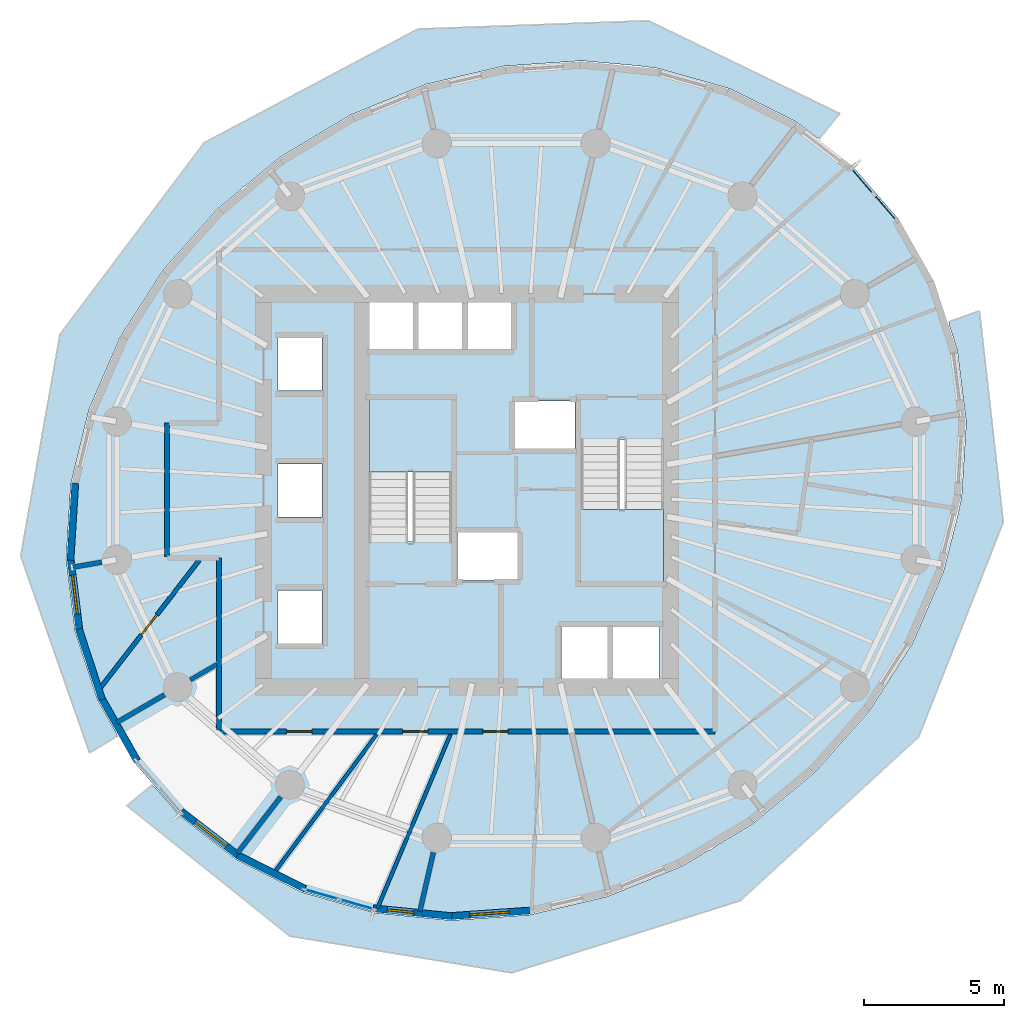
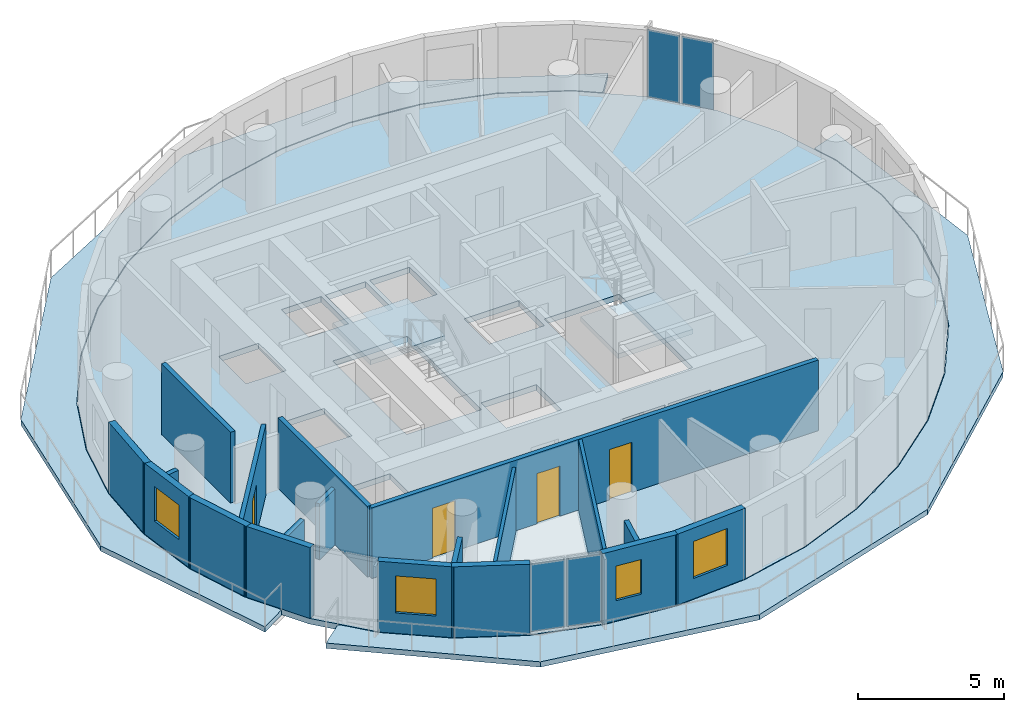
# One storey, part 4 of 12: 19 walls, 5 slabs, 4 doors, 4 plates, 4 windows, 8 openings, 4 elements without a shape of their own.
"""IFC4 building model written with IfcOpenShell, lengths in metres."""

from ifc_helpers import new_model, si_unit, direction, frame, frame_2d, origin, origin_2d, place, context, subcontext, project, spatial, polyline, rectangle, outline, extrude, material, layer, layer_set, type_object, element, fill, aggregate, save


model = new_model("IFC4")

# Units and contexts
model_context = context("Model", 3, precision=1e-05, world=origin(), true_north=direction((0.0, 1.0)))
body_context = subcontext(model_context, "Body", "Model", "MODEL_VIEW")
ifc_project = project(units=[si_unit("LENGTHUNIT", "METRE"), si_unit("AREAUNIT", "SQUARE_METRE"), si_unit("VOLUMEUNIT", "CUBIC_METRE"), si_unit("PLANEANGLEUNIT", "RADIAN"), si_unit("MASSUNIT", "GRAM", prefix="KILO")], contexts=[model_context])

# Site, building, storey
site_placement = place(None, origin())
site = spatial("IfcSite", under=ifc_project, at=site_placement, CompositionType="ELEMENT")
building_placement = place(site_placement, origin())
building = spatial("IfcBuilding", under=site, at=building_placement, Name="Veldorim Arch Residences", CompositionType="ELEMENT")
storey_placement = place(building_placement, frame((0.0, 0.0, 142.56005859375)))
storey = spatial("IfcBuildingStorey", under=building, at=storey_placement, Name="L42", CompositionType="ELEMENT", Elevation=142.56005859375)

# Slabs
ifc_material_1 = material(Name="Concrete C40/50", Category="concrete")
ifc_layer_1 = layer(ifc_material_1, 0.219970703125, Name="Planted Crescent Cantilever Balcony Slab 220")
ifc_layer_set_1 = layer_set([ifc_layer_1], Name="Concrete C40/50")
slab_type_1 = type_object("IfcSlabType", Name="Planted Crescent Cantilever Balcony Slab 220", PredefinedType="FLOOR", material=ifc_layer_set_1)
slab_1_placement = place(storey_placement, frame((0.0, 0.0, -0.219970703125)))
element("IfcSlab", 1, at=slab_1_placement, inside=storey, type_object=slab_type_1, Name="L42 planted crescent balcony slab A", PredefinedType="FLOOR", context=body_context, shape_type="SweptSolid", body=[
    extrude(outline(polyline([(42.681884765625, 36.580078125), (41.955810546875, 37.13916015625), (39.622314453125, 38.30322265625), (37.057373046875, 39.03271484375), (36.361328125, 39.122802734375), (34.339111328125, 39.30517578125), (31.5498046875, 39.11279296875), (28.7744140625, 38.461181640625), (26.09716796875, 37.37060546875), (23.59912109375, 35.873779296875), (22.39599609375, 34.877197265625), (22.2626953125, 34.80419921875), (22.181884765625, 34.699951171875), (21.356201171875, 34.016357421875), (19.436767578125, 31.8544921875), (17.898681640625, 29.454345703125), (16.788818359375, 26.88818359375), (16.14111328125, 24.234130859375), (15.975341796875, 21.572509765625), (16.29638671875, 18.98486328125), (17.094970703125, 16.54931640625), (17.749755859375, 15.393798828125), (17.789306640625, 15.2490234375), (16.80419921875, 14.655517578125), (14.352783203125, 21.66845703125), (15.75146484375, 29.5654296875), (20.880859375, 36.38525390625), (28.492431640625, 40.4365234375), (36.707763671875, 40.733642578125), (43.524169921875, 37.427490234375), (42.803955078125, 36.531005859375), (42.681884765625, 36.580078125)])), origin(), (0.0, 0.0, 1.0), 0.219970703125),
])
slab_2_placement = place(storey_placement, frame((0.0, 0.0, -0.219970703125)))
element("IfcSlab", 2, at=slab_2_placement, inside=storey, type_object=slab_type_1, Name="L42 planted crescent balcony slab B", PredefinedType="FLOOR", context=body_context, shape_type="SweptSolid", body=[
    extrude(outline(polyline([(19.1416015625, 13.426513671875), (20.01318359375, 12.424560546875), (22.044189453125, 10.86083984375), (24.377685546875, 9.69677734375), (26.942626953125, 8.96728515625), (29.660888671875, 8.69482421875), (32.4501953125, 8.88720703125), (35.2255859375, 9.538818359375), (37.90283203125, 10.62939453125), (38.82177734375, 11.18017578125), (38.947509765625, 11.221923828125), (39.06103515625, 11.323486328125), (40.40087890625, 12.126220703125), (42.643798828125, 13.983642578125), (44.563232421875, 16.1455078125), (46.101318359375, 18.545654296875), (47.211181640625, 21.11181640625), (47.712158203125, 23.07958984375), (47.85888671875, 23.765869140625), (48.024658203125, 26.427490234375), (47.70361328125, 29.01513671875), (47.418212890625, 29.8857421875), (47.412353515625, 30.017333984375), (48.49755859375, 30.398193359375), (49.346435546875, 22.8701171875), (46.33203125, 15.22216796875), (39.978515625, 9.392578125), (31.84033203125, 6.82568359375), (23.927978515625, 8.135009765625), (18.130615234375, 12.78076171875), (19.018310546875, 13.511962890625), (19.1416015625, 13.426513671875)])), origin(), (0.0, 0.0, 1.0), 0.219970703125),
])

# Stair, slab
ifc_material_2 = material(Name="Concrete C40/50", Category="concrete")
stair_type = type_object("IfcStairType", Name="Reinforced Concrete Dogleg Exit Staircase", PredefinedType="HALF_TURN_STAIR", material=ifc_material_2)
stair_1_placement = place(storey_placement, origin())
stair_1 = element("IfcStair", 3, at=stair_1_placement, inside=storey, type_object=stair_type, Name="L42 Exit Staircase ST-1", PredefinedType="HALF_TURN_STAIR")
ifc_material_3 = material(Name="Concrete C40/50", Category="concrete")
ifc_layer_2 = layer(ifc_material_3, 0.199951171875, Name="Reinforced Concrete Stair Landing 200")
ifc_layer_set_2 = layer_set([ifc_layer_2], Name="Concrete C40/50")
slab_type_2 = type_object("IfcSlabType", Name="Reinforced Concrete Stair Landing 200", PredefinedType="LANDING", material=ifc_layer_set_2)
slab_3_placement = place(storey_placement, frame((0.0, 0.0, 1.39990234375)))
slab_3 = element("IfcSlab", 4, at=slab_3_placement, type_object=slab_type_2, Name="ST-1 landing 1", PredefinedType="LANDING", context=body_context, shape_type="SweptSolid", body=[
    extrude(outline(polyline([(29.7099609375, 24.669921875), (29.7099609375, 27.25), (26.75, 27.25), (26.75, 24.669921875), (29.7099609375, 24.669921875)])), origin(), (0.0, 0.0, 1.0), 0.199951171875),
])
aggregate(stair_1, [slab_3])

stair_2_placement = place(storey_placement, origin())
stair_2 = element("IfcStair", 5, at=stair_2_placement, inside=storey, type_object=stair_type, Name="L42 Exit Staircase ST-2", PredefinedType="HALF_TURN_STAIR")
slab_4_placement = place(storey_placement, frame((0.0, 0.0, 1.39990234375)))
slab_4 = element("IfcSlab", 6, at=slab_4_placement, type_object=slab_type_2, Name="ST-2 landing 1", PredefinedType="LANDING", context=body_context, shape_type="SweptSolid", body=[
    extrude(outline(polyline([(34.2900390625, 23.330078125), (34.2900390625, 20.75), (37.25, 20.75), (37.25, 23.330078125), (34.2900390625, 23.330078125)])), origin(), (0.0, 0.0, 1.0), 0.199951171875),
])
aggregate(stair_2, [slab_4])

# Slab
ifc_material_4 = material(Name="Concrete C40/50", Category="concrete")
ifc_layer_3 = layer(ifc_material_4, 0.239990234375, Name="Typical Residential Floor Slab 240")
ifc_layer_set_3 = layer_set([ifc_layer_3], Name="Concrete C40/50")
slab_type_3 = type_object("IfcSlabType", Name="Typical Residential Floor Slab 240", PredefinedType="FLOOR", material=ifc_layer_set_3)
slab_5_placement = place(storey_placement, frame((0.0, 0.0, -0.239990234375)))
element("IfcSlab", 7, at=slab_5_placement, inside=storey, type_object=slab_type_3, Name="L42 tower structural floor slab", PredefinedType="FLOOR", context=body_context, shape_type="SweptSolid", body=[
    extrude(outline(polyline([(45.6328125, 33.6455078125), (43.969482421875, 35.55712890625), (41.9423828125, 37.117919921875), (39.61328125, 38.27978515625), (37.052734375, 39.008056640625), (34.338623046875, 39.280029296875), (31.5537109375, 39.087890625), (28.781982421875, 38.4375), (26.1083984375, 37.34814453125), (23.613525390625, 35.853271484375), (21.373779296875, 33.998291015625), (19.456787109375, 31.839599609375), (17.9208984375, 29.4423828125), (16.8125, 26.880126953125), (16.166015625, 24.230224609375), (16.00048828125, 21.573486328125), (16.321044921875, 18.990234375), (17.117919921875, 16.559326171875), (18.3671875, 14.3544921875), (20.030517578125, 12.44287109375), (22.0576171875, 10.882080078125), (24.38671875, 9.72021484375), (26.947265625, 8.991943359375), (29.661376953125, 8.719970703125), (32.4462890625, 8.912109375), (35.218017578125, 9.5625), (37.8916015625, 10.65185546875), (40.386474609375, 12.146728515625), (42.626220703125, 14.001708984375), (44.543212890625, 16.160400390625), (46.0791015625, 18.5576171875), (47.1875, 21.119873046875), (47.833984375, 23.769775390625), (47.99951171875, 26.426513671875), (47.678955078125, 29.009765625), (46.882080078125, 31.440673828125), (45.6328125, 33.6455078125)]), holes=[polyline([(23.510009765625, 18.56005859375), (23.510009765625, 20.43994140625), (25.090087890625, 20.43994140625), (25.090087890625, 18.56005859375), (23.510009765625, 18.56005859375)]), polyline([(23.510009765625, 24.93994140625), (25.090087890625, 24.93994140625), (25.090087890625, 23.06005859375), (23.510009765625, 23.06005859375), (23.510009765625, 24.93994140625)]), polyline([(26.75, 27.25), (29.7099609375, 27.25), (29.7099609375, 22.195068359375), (26.75, 22.195068359375), (26.75, 27.25)]), polyline([(23.510009765625, 27.56005859375), (23.510009765625, 29.43994140625), (25.090087890625, 29.43994140625), (25.090087890625, 27.56005859375), (23.510009765625, 27.56005859375)]), polyline([(26.760009765625, 30.7900390625), (28.340087890625, 30.7900390625), (28.340087890625, 28.909912109375), (26.760009765625, 28.909912109375), (26.760009765625, 30.7900390625)]), polyline([(28.510009765625, 30.7900390625), (30.090087890625, 30.7900390625), (30.090087890625, 28.909912109375), (28.510009765625, 28.909912109375), (28.510009765625, 30.7900390625)]), polyline([(33.610107421875, 17.2099609375), (33.610107421875, 19.2900390625), (35.2900390625, 19.2900390625), (35.2900390625, 17.2099609375), (33.610107421875, 17.2099609375)]), polyline([(35.409912109375, 19.2900390625), (37.090087890625, 19.2900390625), (37.090087890625, 17.2099609375), (35.409912109375, 17.2099609375), (35.409912109375, 19.2900390625)]), polyline([(29.909912109375, 22.544921875), (32.090087890625, 22.544921875), (32.090087890625, 20.81494140625), (29.909912109375, 20.81494140625), (29.909912109375, 22.544921875)]), polyline([(34.2900390625, 20.75), (34.2900390625, 25.804931640625), (37.25, 25.804931640625), (37.25, 20.75), (34.2900390625, 20.75)]), polyline([(31.909912109375, 27.18505859375), (34.090087890625, 27.18505859375), (34.090087890625, 25.455078125), (31.909912109375, 25.455078125), (31.909912109375, 27.18505859375)]), polyline([(30.260009765625, 30.7900390625), (31.840087890625, 30.7900390625), (31.840087890625, 28.909912109375), (30.260009765625, 28.909912109375), (30.260009765625, 30.7900390625)])]), origin(), (0.0, 0.0, 1.0), 0.239990234375),
])

# Curtain wall, plates
ifc_material_5 = material(Name="Aluminium", Category="aluminium")
curtain_wall_type = type_object("IfcCurtainWallType", Name="Zone 3 High-Wind Unitised Curtain Wall", PredefinedType="NOTDEFINED", material=ifc_material_5)
curtain_wall_1_placement = place(storey_placement, origin())
curtain_wall_1 = element("IfcCurtainWall", 8, at=curtain_wall_1_placement, inside=storey, type_object=curtain_wall_type, Name="L42 unitised curtain wall bay 01", PredefinedType="NOTDEFINED")
ifc_material_6 = material(Name="Laminated Low-E Glass", Category="glass")
ifc_layer_4 = layer(ifc_material_6, 0.028076171875, Name="Zone 3 High-Wind Unitised Curtain Wall Glazing Panel 28")
ifc_layer_set_4 = layer_set([ifc_layer_4], Name="Laminated Low-E Glass")
plate_type = type_object("IfcPlateType", Name="Zone 3 High-Wind Unitised Curtain Wall Glazing Panel 28", PredefinedType="CURTAIN_PANEL", material=ifc_layer_set_4)
plate_1_placement = place(storey_placement, frame((44.328857421875, 35.007080078125, 0.06982421875), z_axis=(0.0, 0.0, 1.0), x_axis=(0.65641511641, -0.754399890607, 0.0)))
plate_1 = element("IfcPlate", 9, at=plate_1_placement, type_object=plate_type, Name="CW-Z3 panel 1.1", PredefinedType="CURTAIN_PANEL", context=body_context, shape_type="SweptSolid", body=[
    extrude(rectangle(XDim=1.162109375, YDim=0.028076171875, at=origin_2d()), origin(), (0.0, 0.0, 1.0), 2.820068359375),
])
plate_2_placement = place(storey_placement, frame((45.1376953125, 34.07763671875, 0.06982421875), z_axis=(0.0, 0.0, 1.0), x_axis=(0.65641511641, -0.754399890607, 0.0)))
plate_2 = element("IfcPlate", 10, at=plate_2_placement, type_object=plate_type, Name="CW-Z3 panel 2.1", PredefinedType="CURTAIN_PANEL", context=body_context, shape_type="SweptSolid", body=[
    extrude(rectangle(XDim=1.162109375, YDim=0.028076171875, at=origin_2d()), origin(), (0.0, 0.0, 1.0), 2.820068359375),
])
aggregate(curtain_wall_1, [plate_1, plate_2])

curtain_wall_2_placement = place(storey_placement, origin())
curtain_wall_2 = element("IfcCurtainWall", 11, at=curtain_wall_2_placement, inside=storey, type_object=curtain_wall_type, Name="L42 unitised curtain wall bay 22", PredefinedType="NOTDEFINED")
plate_3_placement = place(storey_placement, frame((26.31494140625, 9.265380859375, 0.06982421875), z_axis=(0.0, 0.0, 1.0), x_axis=(-0.961857777908, 0.273550022991, 0.0)))
plate_3 = element("IfcPlate", 12, at=plate_3_placement, type_object=plate_type, Name="CW-Z3 panel 1.1", PredefinedType="CURTAIN_PANEL", context=body_context, shape_type="SweptSolid", body=[
    extrude(rectangle(XDim=1.22607421875, YDim=0.028076171875, at=origin_2d()), origin(), (0.0, 0.0, 1.0), 2.820068359375),
])
plate_4_placement = place(storey_placement, frame((25.068359375, 9.619873046875, 0.06982421875), z_axis=(0.0, 0.0, 1.0), x_axis=(-0.961857777908, 0.273550022991, 0.0)))
plate_4 = element("IfcPlate", 13, at=plate_4_placement, type_object=plate_type, Name="CW-Z3 panel 2.1", PredefinedType="CURTAIN_PANEL", context=body_context, shape_type="SweptSolid", body=[
    extrude(rectangle(XDim=1.22607421875, YDim=0.028076171875, at=origin_2d()), origin(), (0.0, 0.0, 1.0), 2.820068359375),
])
aggregate(curtain_wall_2, [plate_3, plate_4])

# Walls
ifc_material_7 = material(Name="Acoustic Gypsum Board", Category="gypsum")
ifc_layer_5 = layer(ifc_material_7, 0.125, Name="Acoustic Stud Room Partition Wall 125")
ifc_layer_set_5 = layer_set([ifc_layer_5], Name="Acoustic Gypsum Board")
wall_type_1 = type_object("IfcWallType", Name="Acoustic Stud Room Partition Wall 125", PredefinedType="PARTITIONING", material=ifc_layer_set_5)
wall_1_placement = place(storey_placement, frame((27.05859375, 9.12158203125, 0.0), z_axis=(0.0, 0.0, 1.0), x_axis=(0.386926287161, 0.922110648623, 0.0)))
element("IfcWall", 14, at=wall_1_placement, inside=storey, type_object=wall_type_1, Name="L42 interior wall WL-RES-L42-010", PredefinedType="PARTITIONING", context=body_context, shape_type="SweptSolid", body=[
    extrude(rectangle(XDim=6.71044921875, YDim=0.125, at=frame_2d((3.355224609375, 0.0))), origin(), (0.0, 0.0, 1.0), 2.954833984375),
])
wall_2_placement = place(storey_placement, frame((23.369873046875, 10.384033203125, 0.0), z_axis=(0.0, 0.0, 1.0), x_axis=(0.596726995384, 0.802444323913, 0.0)))
element("IfcWall", 15, at=wall_2_placement, inside=storey, type_object=wall_type_1, Name="L42 interior wall WL-RES-L42-012", PredefinedType="PARTITIONING", context=body_context, shape_type="SweptSolid", body=[
    extrude(rectangle(XDim=6.15576171875, YDim=0.125, at=frame_2d((3.077880859375, 0.0))), origin(), (0.0, 0.0, 1.0), 2.69189453125),
])
ifc_material_8 = material(Name="Lightweight Masonry Block & Gypsum", Category="masonry")
ifc_layer_6 = layer(ifc_material_8, 0.179931640625, Name="Compartment & Corridor Fire-Rated Party Wall 180")
ifc_layer_set_6 = layer_set([ifc_layer_6], Name="Lightweight Masonry Block & Gypsum")
wall_type_2 = type_object("IfcWallType", Name="Compartment & Corridor Fire-Rated Party Wall 180", PredefinedType="PARTITIONING", material=ifc_layer_set_6)
wall_3_placement = place(storey_placement, frame((17.24169921875, 21.44921875, 0.0), z_axis=(0.0, 0.0, 1.0), x_axis=(-0.985390767806, -0.170308645474, 0.0)))
element("IfcWall", 16, at=wall_3_placement, inside=storey, type_object=wall_type_2, Name="L42 interior wall WL-PIER-L42-09", PredefinedType="PARTITIONING", context=body_context, shape_type="SweptSolid", body=[
    extrude(rectangle(XDim=1.037841796875, YDim=0.179931640625, at=frame_2d((0.51904296875, 0.0))), origin(), (0.0, 0.0, 1.0), 2.335693359375),
])
wall_4_placement = place(storey_placement, frame((19.472412109375, 16.72607421875, 0.0), z_axis=(0.0, 0.0, 1.0), x_axis=(-0.864802971131, -0.502111363268, 0.0)))
element("IfcWall", 17, at=wall_4_placement, inside=storey, type_object=wall_type_2, Name="L42 interior wall WL-PIER-L42-10", PredefinedType="PARTITIONING", context=body_context, shape_type="SweptSolid", body=[
    extrude(rectangle(XDim=1.95068359375, YDim=0.179931640625, at=frame_2d((0.975341796875, 0.0))), origin(), (0.0, 0.0, 1.0), 2.335693359375),
])
wall_5_placement = place(storey_placement, frame((23.612060546875, 13.091552734375, 0.0), z_axis=(0.0, 0.0, 1.0), x_axis=(-0.609556175004, -0.792742877303, 0.0)))
element("IfcWall", 18, at=wall_5_placement, inside=storey, type_object=wall_type_2, Name="L42 interior wall WL-PIER-L42-11", PredefinedType="PARTITIONING", context=body_context, shape_type="SweptSolid", body=[
    extrude(rectangle(XDim=2.518798828125, YDim=0.179931640625, at=frame_2d((1.25927734375, 0.0))), origin(), (0.0, 0.0, 1.0), 2.335693359375),
])
wall_6_placement = place(storey_placement, frame((29.049560546875, 11.11083984375, 0.0), z_axis=(0.0, 0.0, 1.0), x_axis=(-0.223080127706, -0.974800111111, 0.0)))
element("IfcWall", 19, at=wall_6_placement, inside=storey, type_object=wall_type_2, Name="L42 interior wall WL-PIER-L42-12", PredefinedType="PARTITIONING", context=body_context, shape_type="SweptSolid", body=[
    extrude(rectangle(XDim=2.15478515625, YDim=0.179931640625, at=frame_2d((1.077392578125, 0.0))), origin(), (0.0, 0.0, 1.0), 2.335693359375),
])

# Wall, openings, doors
wall_7_placement = place(storey_placement, frame((39.080078125, 15.419921875, 0.0), z_axis=(0.0, 0.0, 1.0), x_axis=(-1.0, 0.0, 0.0)))
wall_7 = element("IfcWall", 20, at=wall_7_placement, inside=storey, type_object=wall_type_2, Name="L42 interior wall WL-RES-L42-001", PredefinedType="PARTITIONING", context=body_context, shape_type="SweptSolid", body=[
    extrude(rectangle(XDim=17.66015625, YDim=0.179931640625, at=frame_2d((8.830078125, 0.0))), origin(), (0.0, 0.0, 1.0), 2.954833984375),
])
opening_1_placement = place(wall_7_placement, frame((7.36767578125, 0.0, 0.0)))
opening_1 = element("IfcOpeningElement", 21, at=opening_1_placement, cuts=wall_7, Name="Opening DR-SVC", PredefinedType="OPENING", context=body_context, shape_type="SweptSolid", body=[
    extrude(rectangle(XDim=0.89990234375, YDim=2.10009765625, at=frame_2d((0.449951171875, 1.050048828125))), frame((0.0, 0.099853515625, 0.0), z_axis=(0.0, -1.0, 0.0), x_axis=(1.0, 0.0, 0.0)), (0.0, 0.0, 1.0), 0.199951171875),
])
opening_2_placement = place(wall_7_placement, frame((10.224365234375, 0.0, 0.0)))
opening_2 = element("IfcOpeningElement", 22, at=opening_2_placement, cuts=wall_7, Name="Opening DR-INT", PredefinedType="OPENING", context=body_context, shape_type="SweptSolid", body=[
    extrude(rectangle(XDim=0.89990234375, YDim=2.10009765625, at=frame_2d((0.449951171875, 1.050048828125))), frame((0.0, 0.099853515625, 0.0), z_axis=(0.0, -1.0, 0.0), x_axis=(1.0, 0.0, 0.0)), (0.0, 0.0, 1.0), 0.199951171875),
])
opening_3_placement = place(wall_7_placement, frame((14.3525390625, 0.0, 0.0)))
opening_3 = element("IfcOpeningElement", 23, at=opening_3_placement, cuts=wall_7, Name="Opening DR-INT", PredefinedType="OPENING", context=body_context, shape_type="SweptSolid", body=[
    extrude(rectangle(XDim=0.89990234375, YDim=2.10009765625, at=frame_2d((0.449951171875, 1.050048828125))), frame((0.0, 0.099853515625, 0.0), z_axis=(0.0, -1.0, 0.0), x_axis=(1.0, 0.0, 0.0)), (0.0, 0.0, 1.0), 0.199951171875),
])
ifc_material_9 = material(Name="Engineered Timber", Category="wood")
door_type_1 = type_object("IfcDoorType", Name="Apartment Internal Room Timber Door 900x2100", OperationType="SINGLE_SWING_LEFT", PredefinedType="DOOR", material=ifc_material_9)
door_1_placement = place(opening_2_placement, origin())
door_1 = element("IfcDoor", 24, at=door_1_placement, inside=storey, type_object=door_type_1, Name="L42 interior door DR-RES-L42-002", OperationType="SINGLE_SWING_RIGHT", OverallHeight=2.10009765625, OverallWidth=0.89990234375, PredefinedType="DOOR", context=body_context, shape_type="SweptSolid", body=[
    extrude(rectangle(XDim=0.89990234375, YDim=2.10009765625, at=frame_2d((0.449951171875, 1.050048828125))), frame((0.0, 0.02490234375, 0.0), z_axis=(0.0, -1.0, 0.0), x_axis=(1.0, 0.0, 0.0)), (0.0, 0.0, 1.0), 0.050048828125),
])
fill(opening_2, door_1)
door_2_placement = place(opening_3_placement, origin())
door_2 = element("IfcDoor", 25, at=door_2_placement, inside=storey, type_object=door_type_1, Name="L42 interior door DR-RES-L42-003", OperationType="SINGLE_SWING_LEFT", OverallHeight=2.10009765625, OverallWidth=0.89990234375, PredefinedType="DOOR", context=body_context, shape_type="SweptSolid", body=[
    extrude(rectangle(XDim=0.89990234375, YDim=2.10009765625, at=frame_2d((0.449951171875, 1.050048828125))), frame((0.0, 0.02490234375, 0.0), z_axis=(0.0, -1.0, 0.0), x_axis=(1.0, 0.0, 0.0)), (0.0, 0.0, 1.0), 0.050048828125),
])
fill(opening_3, door_2)
ifc_material_10 = material(Name="Fire-Rated Steel", Category="steel")
door_type_2 = type_object("IfcDoorType", Name="Riser, Shelter & Plant Room Rated Steel Door 900x2100", OperationType="SINGLE_SWING_LEFT", PredefinedType="DOOR", material=ifc_material_10)
door_3_placement = place(opening_1_placement, origin())
door_3 = element("IfcDoor", 26, at=door_3_placement, inside=storey, type_object=door_type_2, Name="L42 interior door DR-RES-L42-001", OperationType="SINGLE_SWING_LEFT", OverallHeight=2.10009765625, OverallWidth=0.89990234375, PredefinedType="DOOR", context=body_context, shape_type="SweptSolid", body=[
    extrude(rectangle(XDim=0.89990234375, YDim=2.10009765625, at=frame_2d((0.449951171875, 1.050048828125))), frame((0.0, 0.02490234375, 0.0), z_axis=(0.0, -1.0, 0.0), x_axis=(1.0, 0.0, 0.0)), (0.0, 0.0, 1.0), 0.050048828125),
])
fill(opening_1, door_3)

# Walls
wall_8_placement = place(storey_placement, frame((21.419921875, 15.47998046875, 0.0), z_axis=(0.0, 0.0, 1.0), x_axis=(0.0, 1.0, 0.0)))
element("IfcWall", 27, at=wall_8_placement, inside=storey, type_object=wall_type_2, Name="L42 interior wall WL-RES-L42-002", PredefinedType="PARTITIONING", context=body_context, shape_type="SweptSolid", body=[
    extrude(rectangle(XDim=6.1201171875, YDim=0.179931640625, at=frame_2d((3.06005859375, 0.0))), origin(), (0.0, 0.0, 1.0), 2.954833984375),
])
wall_9_placement = place(storey_placement, frame((19.570068359375, 21.659912109375, 0.0), z_axis=(0.0, 0.0, 1.0), x_axis=(0.0, 1.0, 0.0)))
element("IfcWall", 28, at=wall_9_placement, inside=storey, type_object=wall_type_2, Name="L42 interior wall WL-RES-L42-007", PredefinedType="PARTITIONING", context=body_context, shape_type="SweptSolid", body=[
    extrude(rectangle(XDim=4.739990234375, YDim=0.179931640625, at=frame_2d((2.3701171875, 0.0))), origin(), (0.0, 0.0, 1.0), 2.954833984375),
])
ifc_material_11 = material(Name="Precast concrete C40/50", Category="concrete")
ifc_layer_7 = layer(ifc_material_11, 0.25, Name="Tower Terracotta Spandrel & Pier Wall 250")
ifc_layer_set_7 = layer_set([ifc_layer_7], Name="Precast concrete C40/50")
wall_type_3 = type_object("IfcWallType", Name="Tower Terracotta Spandrel & Pier Wall 250", PredefinedType="SOLIDWALL", material=ifc_layer_set_7)
wall_10_placement = place(storey_placement, frame((16.122314453125, 21.520751953125, 0.0), z_axis=(0.0, 0.0, 1.0), x_axis=(0.062278868317, 0.998058787127, 0.0)))
element("IfcWall", 29, at=wall_10_placement, inside=storey, type_object=wall_type_3, Name="L42 terracotta facade wall 15", PredefinedType="SOLIDWALL", context=body_context, shape_type="SweptSolid", body=[
    extrude(rectangle(XDim=2.751953125, YDim=0.25, at=frame_2d((1.3759765625, 0.0))), origin(), (0.0, 0.0, 1.0), 2.9599609375),
])

# Wall, opening, window
wall_11_placement = place(storey_placement, frame((16.45068359375, 18.9609375, 0.0), z_axis=(0.0, 0.0, 1.0), x_axis=(-0.123197890413, 0.992382123881, 0.0)))
wall_11 = element("IfcWall", 30, at=wall_11_placement, inside=storey, type_object=wall_type_3, Name="L42 terracotta facade wall 16", PredefinedType="SOLIDWALL", context=body_context, shape_type="SweptSolid", body=[
    extrude(rectangle(XDim=2.693115234375, YDim=0.25, at=frame_2d((1.3466796875, 0.0))), origin(), (0.0, 0.0, 1.0), 2.9599609375),
])
opening_4_placement = place(wall_11_placement, frame((0.64697265625, 0.0, 0.85009765625)))
opening_4 = element("IfcOpeningElement", 31, at=opening_4_placement, cuts=wall_11, Name="Opening WN-02", PredefinedType="OPENING", context=body_context, shape_type="SweptSolid", body=[
    extrude(rectangle(XDim=1.39990234375, YDim=1.449951171875, at=frame_2d((0.699951171875, 0.72509765625))), frame((0.0, 0.135009765625, 0.0), z_axis=(0.0, -1.0, 0.0), x_axis=(1.0, 0.0, 0.0)), (0.0, 0.0, 1.0), 0.27001953125),
])
ifc_material_12 = material(Name="Laminated Low-E Glass", Category="glass")
window_type_1 = type_object("IfcWindowType", Name="Residential Casement Window 1400x1550", PartitioningType="SINGLE_PANEL", PredefinedType="WINDOW", material=ifc_material_12)
window_1_placement = place(opening_4_placement, origin())
window_1 = element("IfcWindow", 32, at=window_1_placement, inside=storey, type_object=window_type_1, Name="L42 solar-control facade window 16", OverallHeight=1.449951171875, OverallWidth=1.39990234375, PartitioningType="SINGLE_PANEL", PredefinedType="WINDOW", context=body_context, shape_type="SweptSolid", body=[
    extrude(rectangle(XDim=1.39990234375, YDim=1.449951171875, at=frame_2d((0.699951171875, 0.72509765625))), frame((0.0, 0.030029296875, 0.0), z_axis=(0.0, -1.0, 0.0), x_axis=(1.0, 0.0, 0.0)), (0.0, 0.0, 1.0), 0.06005859375),
])
fill(opening_4, window_1)

# Walls
wall_12_placement = place(storey_placement, frame((17.250732421875, 16.5556640625, 0.0), z_axis=(0.0, 0.0, 1.0), x_axis=(-0.311522010952, 0.950238936633, 0.0)))
element("IfcWall", 33, at=wall_12_placement, inside=storey, type_object=wall_type_3, Name="L42 terracotta facade wall 17", PredefinedType="SOLIDWALL", context=body_context, shape_type="SweptSolid", body=[
    extrude(rectangle(XDim=2.648193359375, YDim=0.25, at=frame_2d((1.32421875, 0.0))), origin(), (0.0, 0.0, 1.0), 2.9599609375),
])
wall_13_placement = place(storey_placement, frame((18.498046875, 14.376953125, 0.0), z_axis=(0.0, 0.0, 1.0), x_axis=(-0.492909281161, 0.870080709214, 0.0)))
element("IfcWall", 34, at=wall_13_placement, inside=storey, type_object=wall_type_3, Name="L42 terracotta facade wall 18", PredefinedType="SOLIDWALL", context=body_context, shape_type="SweptSolid", body=[
    extrude(rectangle(XDim=2.6240234375, YDim=0.25, at=frame_2d((1.31201171875, 0.0))), origin(), (0.0, 0.0, 1.0), 2.9599609375),
])

# Wall, opening, window
wall_14_placement = place(storey_placement, frame((22.16943359375, 10.953857421875, 0.0), z_axis=(0.0, 0.0, 1.0), x_axis=(-0.7923805969, 0.610027040103, 0.0)))
wall_14 = element("IfcWall", 35, at=wall_14_placement, inside=storey, type_object=wall_type_3, Name="L42 terracotta facade wall 20", PredefinedType="SOLIDWALL", context=body_context, shape_type="SweptSolid", body=[
    extrude(rectangle(XDim=2.648193359375, YDim=0.25, at=frame_2d((1.32421875, 0.0))), origin(), (0.0, 0.0, 1.0), 2.9599609375),
])
opening_5_placement = place(wall_14_placement, frame((0.6240234375, 0.0, 0.85009765625)))
opening_5 = element("IfcOpeningElement", 36, at=opening_5_placement, cuts=wall_14, Name="Opening WN-02", PredefinedType="OPENING", context=body_context, shape_type="SweptSolid", body=[
    extrude(rectangle(XDim=1.39990234375, YDim=1.550048828125, at=frame_2d((0.699951171875, 0.77490234375))), frame((0.0, 0.135009765625, 0.0), z_axis=(0.0, -1.0, 0.0), x_axis=(1.0, 0.0, 0.0)), (0.0, 0.0, 1.0), 0.27001953125),
])
window_2_placement = place(opening_5_placement, origin())
window_2 = element("IfcWindow", 37, at=window_2_placement, inside=storey, type_object=window_type_1, Name="L42 solar-control facade window 20", OverallHeight=1.550048828125, OverallWidth=1.39990234375, PartitioningType="SINGLE_PANEL", PredefinedType="WINDOW", context=body_context, shape_type="SweptSolid", body=[
    extrude(rectangle(XDim=1.39990234375, YDim=1.550048828125, at=frame_2d((0.699951171875, 0.77490234375))), frame((0.0, 0.030029296875, 0.0), z_axis=(0.0, -1.0, 0.0), x_axis=(1.0, 0.0, 0.0)), (0.0, 0.0, 1.0), 0.06005859375),
])
fill(opening_5, window_2)

# Wall
wall_15_placement = place(storey_placement, frame((24.48291015625, 9.81201171875, 0.0), z_axis=(0.0, 0.0, 1.0), x_axis=(-0.894843809708, 0.446379385979, 0.0)))
element("IfcWall", 38, at=wall_15_placement, inside=storey, type_object=wall_type_3, Name="L42 terracotta facade wall 21", PredefinedType="SOLIDWALL", context=body_context, shape_type="SweptSolid", body=[
    extrude(rectangle(XDim=2.693115234375, YDim=0.25, at=frame_2d((1.3466796875, 0.0))), origin(), (0.0, 0.0, 1.0), 2.9599609375),
])

# Wall, opening, window
wall_16_placement = place(storey_placement, frame((29.718505859375, 8.83984375, 0.0), z_axis=(0.0, 0.0, 1.0), x_axis=(-0.995013999105, 0.099735357744, 0.0)))
wall_16 = element("IfcWall", 39, at=wall_16_placement, inside=storey, type_object=wall_type_3, Name="L42 terracotta facade wall 23", PredefinedType="SOLIDWALL", context=body_context, shape_type="SweptSolid", body=[
    extrude(rectangle(XDim=2.817626953125, YDim=0.25, at=frame_2d((1.40869140625, 0.0))), origin(), (0.0, 0.0, 1.0), 2.9599609375),
])
opening_6_placement = place(wall_16_placement, frame((1.366943359375, 0.0, 0.85009765625)))
opening_6 = element("IfcOpeningElement", 40, at=opening_6_placement, cuts=wall_16, Name="Opening WN-05", PredefinedType="OPENING", context=body_context, shape_type="SweptSolid", body=[
    extrude(rectangle(XDim=0.949951171875, YDim=1.449951171875, at=frame_2d((0.47509765625, 0.72509765625))), frame((0.0, 0.135009765625, 0.0), z_axis=(0.0, -1.0, 0.0), x_axis=(1.0, 0.0, 0.0)), (0.0, 0.0, 1.0), 0.27001953125),
])
ifc_material_13 = material(Name="Laminated Low-E Glass", Category="glass")
window_type_2 = type_object("IfcWindowType", Name="Residential Compact Casement Window 950x1450", PartitioningType="SINGLE_PANEL", PredefinedType="WINDOW", material=ifc_material_13)
window_3_placement = place(opening_6_placement, origin())
window_3 = element("IfcWindow", 41, at=window_3_placement, inside=storey, type_object=window_type_2, Name="L42 solar-control facade window 23", OverallHeight=1.449951171875, OverallWidth=0.949951171875, PartitioningType="SINGLE_PANEL", PredefinedType="WINDOW", context=body_context, shape_type="SweptSolid", body=[
    extrude(rectangle(XDim=0.949951171875, YDim=1.449951171875, at=frame_2d((0.47509765625, 0.72509765625))), frame((0.0, 0.030029296875, 0.0), z_axis=(0.0, -1.0, 0.0), x_axis=(1.0, 0.0, 0.0)), (0.0, 0.0, 1.0), 0.06005859375),
])
fill(opening_6, window_3)

wall_17_placement = place(storey_placement, frame((32.482666015625, 9.039794921875, 0.0), z_axis=(0.0, 0.0, 1.0), x_axis=(-0.997630729469, -0.068796276206, 0.0)))
wall_17 = element("IfcWall", 42, at=wall_17_placement, inside=storey, type_object=wall_type_3, Name="L42 terracotta facade wall 24", PredefinedType="SOLIDWALL", context=body_context, shape_type="SweptSolid", body=[
    extrude(rectangle(XDim=2.881591796875, YDim=0.25, at=frame_2d((1.44091796875, 0.0))), origin(), (0.0, 0.0, 1.0), 2.9599609375),
])
opening_7_placement = place(wall_17_placement, frame((0.740966796875, 0.0, 0.85009765625)))
opening_7 = element("IfcOpeningElement", 43, at=opening_7_placement, cuts=wall_17, Name="Opening WN-02", PredefinedType="OPENING", context=body_context, shape_type="SweptSolid", body=[
    extrude(rectangle(XDim=1.39990234375, YDim=1.550048828125, at=frame_2d((0.699951171875, 0.77490234375))), frame((0.0, 0.135009765625, 0.0), z_axis=(0.0, -1.0, 0.0), x_axis=(1.0, 0.0, 0.0)), (0.0, 0.0, 1.0), 0.27001953125),
])
window_4_placement = place(opening_7_placement, origin())
window_4 = element("IfcWindow", 44, at=window_4_placement, inside=storey, type_object=window_type_1, Name="L42 solar-control facade window 24", OverallHeight=1.550048828125, OverallWidth=1.39990234375, PartitioningType="SINGLE_PANEL", PredefinedType="WINDOW", context=body_context, shape_type="SweptSolid", body=[
    extrude(rectangle(XDim=1.39990234375, YDim=1.550048828125, at=frame_2d((0.699951171875, 0.77490234375))), frame((0.0, 0.030029296875, 0.0), z_axis=(0.0, -1.0, 0.0), x_axis=(1.0, 0.0, 0.0)), (0.0, 0.0, 1.0), 0.06005859375),
])
fill(opening_7, window_4)

# Wall
ifc_material_14 = material(Name="Moisture-Resistant Gypsum & Stud", Category="gypsum")
ifc_layer_8 = layer(ifc_material_14, 0.159912109375, Name="Wet-Area Moisture-Resistant Plumbing Wall 160")
ifc_layer_set_8 = layer_set([ifc_layer_8], Name="Moisture-Resistant Gypsum & Stud")
wall_type_4 = type_object("IfcWallType", Name="Wet-Area Moisture-Resistant Plumbing Wall 160", PredefinedType="PLUMBINGWALL", material=ifc_layer_set_8)
wall_18_placement = place(storey_placement, frame((20.39111328125, 17.259521484375, 0.0), z_axis=(0.0, 0.0, 1.0), x_axis=(0.864719901707, 0.50225440923, 0.0)))
element("IfcWall", 45, at=wall_18_placement, inside=storey, type_object=wall_type_4, Name="L42 interior wall WL-RES-L42-013", PredefinedType="PLUMBINGWALL", context=body_context, shape_type="SweptSolid", body=[
    extrude(rectangle(XDim=1.08984375, YDim=0.159912109375, at=frame_2d((0.544921875, 0.0))), origin(), (0.0, 0.0, 1.0), 2.335693359375),
])

# Wall, opening, door
wall_19_placement = place(storey_placement, frame((20.7138671875, 21.52099609375, 0.0), z_axis=(0.0, 0.0, 1.0), x_axis=(-0.612572320399, -0.790414544578, 0.0)))
wall_19 = element("IfcWall", 46, at=wall_19_placement, inside=storey, type_object=wall_type_4, Name="L42 interior wall WL-RES-L42-026", PredefinedType="PLUMBINGWALL", context=body_context, shape_type="SweptSolid", body=[
    extrude(rectangle(XDim=5.822021484375, YDim=0.159912109375, at=frame_2d((2.9111328125, 0.0))), origin(), (0.0, 0.0, 1.0), 2.954833984375),
])
opening_8_placement = place(wall_19_placement, frame((2.4609375, 0.0, 0.0)))
opening_8 = element("IfcOpeningElement", 47, at=opening_8_placement, cuts=wall_19, Name="Opening DR-WC", PredefinedType="OPENING", context=body_context, shape_type="SweptSolid", body=[
    extrude(rectangle(XDim=0.89990234375, YDim=2.10009765625, at=frame_2d((0.449951171875, 1.050048828125))), frame((0.0, 0.08984375, 0.0), z_axis=(0.0, -1.0, 0.0), x_axis=(1.0, 0.0, 0.0)), (0.0, 0.0, 1.0), 0.179931640625),
])
ifc_material_15 = material(Name="Laminate Timber", Category="wood")
door_type_3 = type_object("IfcDoorType", Name="Bathroom & Accessible WC Moisture-Sealed Door 900x2100", OperationType="SINGLE_SWING_LEFT", PredefinedType="DOOR", material=ifc_material_15)
door_4_placement = place(opening_8_placement, origin())
door_4 = element("IfcDoor", 48, at=door_4_placement, inside=storey, type_object=door_type_3, Name="L42 interior door DR-RES-L42-016", OperationType="SINGLE_SWING_RIGHT", OverallHeight=2.10009765625, OverallWidth=0.89990234375, PredefinedType="DOOR", context=body_context, shape_type="SweptSolid", body=[
    extrude(rectangle(XDim=0.89990234375, YDim=2.10009765625, at=frame_2d((0.449951171875, 1.050048828125))), frame((0.0, 0.02490234375, 0.0), z_axis=(0.0, -1.0, 0.0), x_axis=(1.0, 0.0, 0.0)), (0.0, 0.0, 1.0), 0.050048828125),
])
fill(opening_8, door_4)

save(model, "model.ifc")
